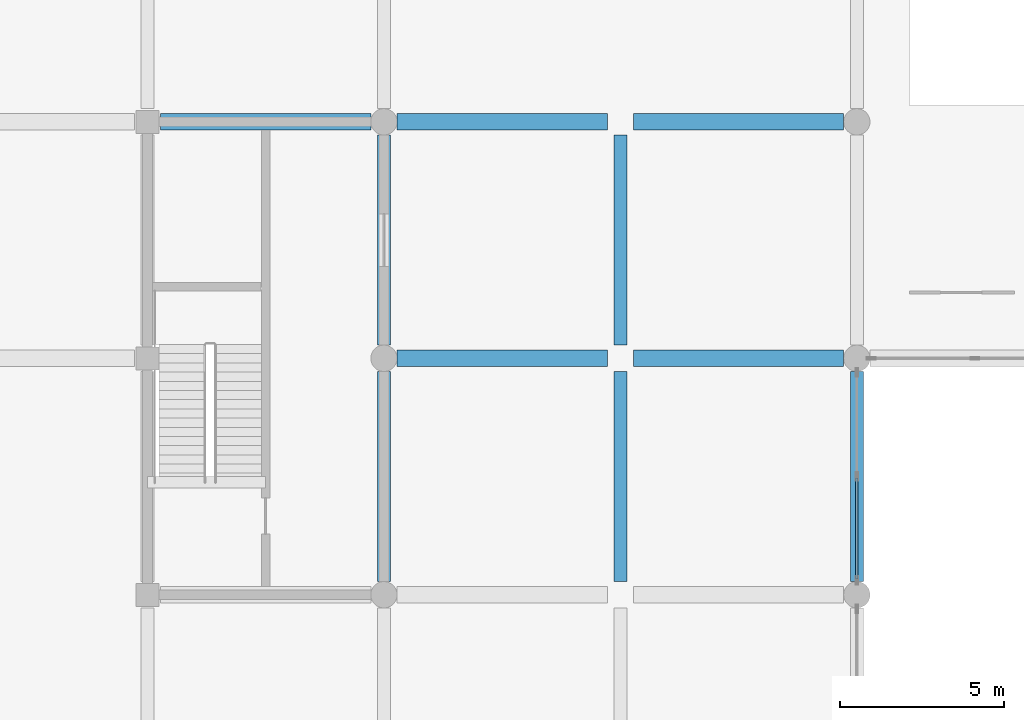
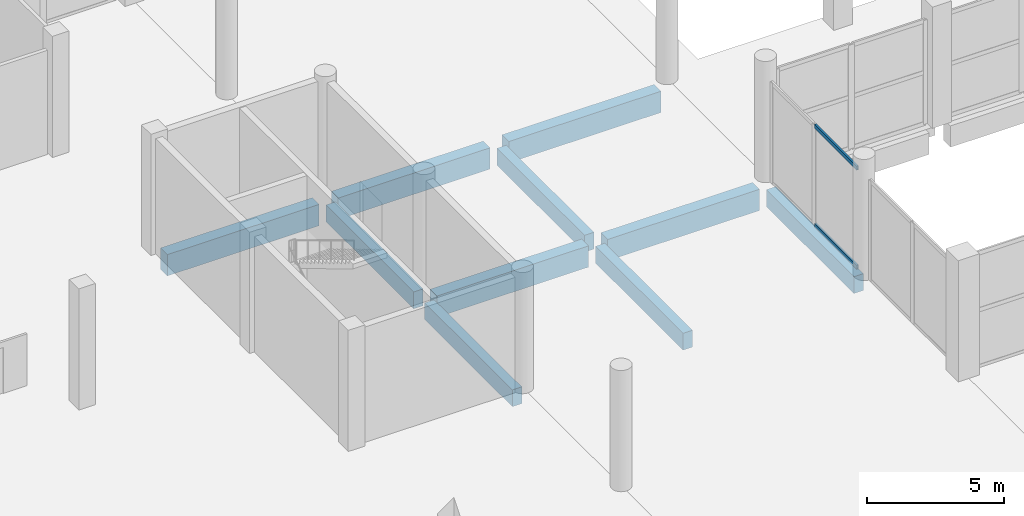
# One storey, part 27 of 70: 10 beams, 2 members, 1 element without a shape of its own.
"""IFC4 building model written with IfcOpenShell, lengths in metres."""

from ifc_helpers import new_model, si_unit, direction, frame, origin, origin_2d, place, context, subcontext, project, spatial, rectangle, hollow_rectangle, extrude, material, material_profile, profile_set, type_object, element, aggregate, save


model = new_model("IFC4")

# Units and contexts
model_context = context("Model", 3, precision=1e-05, world=origin(), true_north=direction((0.0, 1.0)))
body_context = subcontext(model_context, "Body", "Model", "MODEL_VIEW")
ifc_project = project(units=[si_unit("LENGTHUNIT", "METRE"), si_unit("AREAUNIT", "SQUARE_METRE"), si_unit("VOLUMEUNIT", "CUBIC_METRE"), si_unit("PLANEANGLEUNIT", "RADIAN"), si_unit("MASSUNIT", "GRAM", prefix="KILO")], contexts=[model_context])

# Site, building, storey
site_placement = place(None, origin())
site = spatial("IfcSite", under=ifc_project, at=site_placement, CompositionType="ELEMENT")
building_placement = place(site_placement, origin())
building = spatial("IfcBuilding", under=site, at=building_placement, Name="Vesperath Aquatics Centre", CompositionType="ELEMENT")
storey_placement = place(building_placement, origin())
storey = spatial("IfcBuildingStorey", under=building, at=storey_placement, Name="L00", CompositionType="ELEMENT", Elevation=0.0)

# Beams
ifc_material_1 = material(Name="Concrete C40", Category="concrete")
ifc_material_profile_1 = material_profile(ifc_material_1, rectangle(XDim=0.5, YDim=0.949951171875, at=origin_2d()), Name="RC 500x950")
ifc_profile_set_1 = profile_set([ifc_material_profile_1], Name="Concrete C40")
beam_type_1 = type_object("IfcBeamType", Name="BM-G02", PredefinedType="BEAM", material=ifc_profile_set_1)
beam_1_placement = place(storey_placement, frame((94.0, 72.0, -0.7548828125), z_axis=(1.0, 0.0, 0.0), x_axis=(0.0, 1.0, 0.0)))
element("IfcBeam", 1, at=beam_1_placement, inside=storey, type_object=beam_type_1, Name="Floor Girder B02 L00 L 14-15", PredefinedType="BEAM", context=body_context, shape_type="SweptSolid", body=[
    extrude(rectangle(XDim=0.5, YDim=0.949951171875, at=origin_2d()), origin(), (0.0, 0.0, 1.0), 6.39990234375),
])
for number, where, z_axis, x_axis, name in (
    (2, (101.199951171875, 64.800048828125, -0.7548828125), (1.0, 0.0, 0.0), (0.0, 1.0, 0.0), "Floor Girder B02 L00 K 15-16"),
    (3, (101.199951171875, 72.0, -0.7548828125), (1.0, 0.0, 0.0), (0.0, 1.0, 0.0), "Floor Girder B02 L00 L 15-16"),
    (4, (108.39990234375, 64.800048828125, -0.7548828125), (1.0, 0.0, 0.0), (0.0, 1.0, 0.0), "Floor Girder B02 L00 K 16-17"),
    (5, (108.39990234375, 72.0, -0.7548828125), (1.0, 0.0, 0.0), (0.0, 1.0, 0.0), "Floor Girder B02 L00 L 16-17"),
):
    element("IfcBeam", number, at=place(storey_placement, frame(where, z_axis=z_axis, x_axis=x_axis)), inside=storey, type_object=beam_type_1, Name=name, PredefinedType="BEAM", context=body_context, shape_type="SweptSolid", body=[
        extrude(rectangle(XDim=0.5, YDim=0.949951171875, at=origin_2d()), origin(), (0.0, 0.0, 1.0), 6.400146484375),
    ])
ifc_material_2 = material(Name="Concrete C35", Category="concrete")
ifc_material_profile_2 = material_profile(ifc_material_2, rectangle(XDim=0.39990234375, YDim=0.75, at=origin_2d()), Name="RC 400x750")
ifc_profile_set_2 = profile_set([ifc_material_profile_2], Name="Concrete C35")
beam_type_2 = type_object("IfcBeamType", Name="BM-G04", PredefinedType="BEAM", material=ifc_profile_set_2)
beam_2_placement = place(storey_placement, frame((100.800048828125, 58.0, -0.655029296875), z_axis=(0.0, 1.0, 0.0), x_axis=(-1.0, 0.0, 0.0)))
element("IfcBeam", 6, at=beam_2_placement, inside=storey, type_object=beam_type_2, Name="Floor Girder B04 L00 15 J-K", PredefinedType="BEAM", context=body_context, shape_type="SweptSolid", body=[
    extrude(rectangle(XDim=0.39990234375, YDim=0.75, at=origin_2d()), origin(), (0.0, 0.0, 1.0), 6.39990234375),
])
beam_3_placement = place(storey_placement, frame((100.800048828125, 65.199951171875, -0.655029296875), z_axis=(0.0, 1.0, 0.0), x_axis=(-1.0, 0.0, 0.0)))
element("IfcBeam", 7, at=beam_3_placement, inside=storey, type_object=beam_type_2, Name="Floor Girder B04 L00 15 K-L", PredefinedType="BEAM", context=body_context, shape_type="SweptSolid", body=[
    extrude(rectangle(XDim=0.39990234375, YDim=0.75, at=origin_2d()), origin(), (0.0, 0.0, 1.0), 6.400146484375),
])
beam_4_placement = place(storey_placement, frame((108.0, 58.0, -0.655029296875), z_axis=(0.0, 1.0, 0.0), x_axis=(-1.0, 0.0, 0.0)))
element("IfcBeam", 8, at=beam_4_placement, inside=storey, type_object=beam_type_2, Name="Floor Girder B04 L00 16 J-K", PredefinedType="BEAM", context=body_context, shape_type="SweptSolid", body=[
    extrude(rectangle(XDim=0.39990234375, YDim=0.75, at=origin_2d()), origin(), (0.0, 0.0, 1.0), 6.39990234375),
])
beam_5_placement = place(storey_placement, frame((108.0, 65.199951171875, -0.655029296875), z_axis=(0.0, 1.0, 0.0), x_axis=(-1.0, 0.0, 0.0)))
element("IfcBeam", 9, at=beam_5_placement, inside=storey, type_object=beam_type_2, Name="Floor Girder B04 L00 16 K-L", PredefinedType="BEAM", context=body_context, shape_type="SweptSolid", body=[
    extrude(rectangle(XDim=0.39990234375, YDim=0.75, at=origin_2d()), origin(), (0.0, 0.0, 1.0), 6.400146484375),
])
beam_6_placement = place(storey_placement, frame((115.199951171875, 58.0, -0.655029296875), z_axis=(0.0, 1.0, 0.0), x_axis=(-1.0, 0.0, 0.0)))
element("IfcBeam", 10, at=beam_6_placement, inside=storey, type_object=beam_type_2, Name="Floor Girder B04 L00 17 J-K", PredefinedType="BEAM", context=body_context, shape_type="SweptSolid", body=[
    extrude(rectangle(XDim=0.39990234375, YDim=0.75, at=origin_2d()), origin(), (0.0, 0.0, 1.0), 6.39990234375),
])

# Curtain wall, members
ifc_material_3 = material(Name="Thermally broken anodised bronze aluminium curtain wall", Category="aluminium")
curtain_wall_type = type_object("IfcCurtainWallType", Name="CW-01", PredefinedType="NOTDEFINED", material=ifc_material_3)
curtain_wall_placement = place(storey_placement, origin())
curtain_wall = element("IfcCurtainWall", 11, at=curtain_wall_placement, inside=storey, type_object=curtain_wall_type, Name="Facade Curtain Wall CW01 L00_E_16_08", PredefinedType="NOTDEFINED")
ifc_material_4 = material(Name="Thermally broken anodised aluminium", Category="aluminium")
ifc_material_profile_3 = material_profile(ifc_material_4, hollow_rectangle(XDim=0.074951171875, YDim=0.179931640625, WallThickness=0.0048828125, at=origin_2d()), Name="CWT 75x180x5")
ifc_profile_set_3 = profile_set([ifc_material_profile_3], Name="Thermally broken anodised aluminium")
member_type = type_object("IfcMemberType", Name="MB-CWT1", PredefinedType="USERDEFINED", material=ifc_profile_set_3)
member_1_placement = place(storey_placement, frame((115.199951171875, 58.074951171875, 0.03759765625), z_axis=(0.0, 1.0, 0.0), x_axis=(-1.0, 0.0, 0.0)))
member_1 = element("IfcMember", 12, at=member_1_placement, type_object=member_type, Name="CW01 transom 1.1", ObjectType="TRANSOM", PredefinedType="USERDEFINED", context=body_context, shape_type="SweptSolid", body=[
    extrude(hollow_rectangle(XDim=0.074951171875, YDim=0.179931640625, WallThickness=0.0048828125, at=origin_2d()), origin(), (0.0, 0.0, 1.0), 3.087646484375),
])
member_2_placement = place(storey_placement, frame((115.199951171875, 58.074951171875, 4.452392578125), z_axis=(0.0, 1.0, 0.0), x_axis=(-1.0, 0.0, 0.0)))
member_2 = element("IfcMember", 13, at=member_2_placement, type_object=member_type, Name="CW01 transom 1.2", ObjectType="TRANSOM", PredefinedType="USERDEFINED", context=body_context, shape_type="SweptSolid", body=[
    extrude(hollow_rectangle(XDim=0.074951171875, YDim=0.179931640625, WallThickness=0.0048828125, at=origin_2d()), origin(), (0.0, 0.0, 1.0), 3.087646484375),
])
aggregate(curtain_wall, [member_1, member_2])

save(model, "model.ifc")
